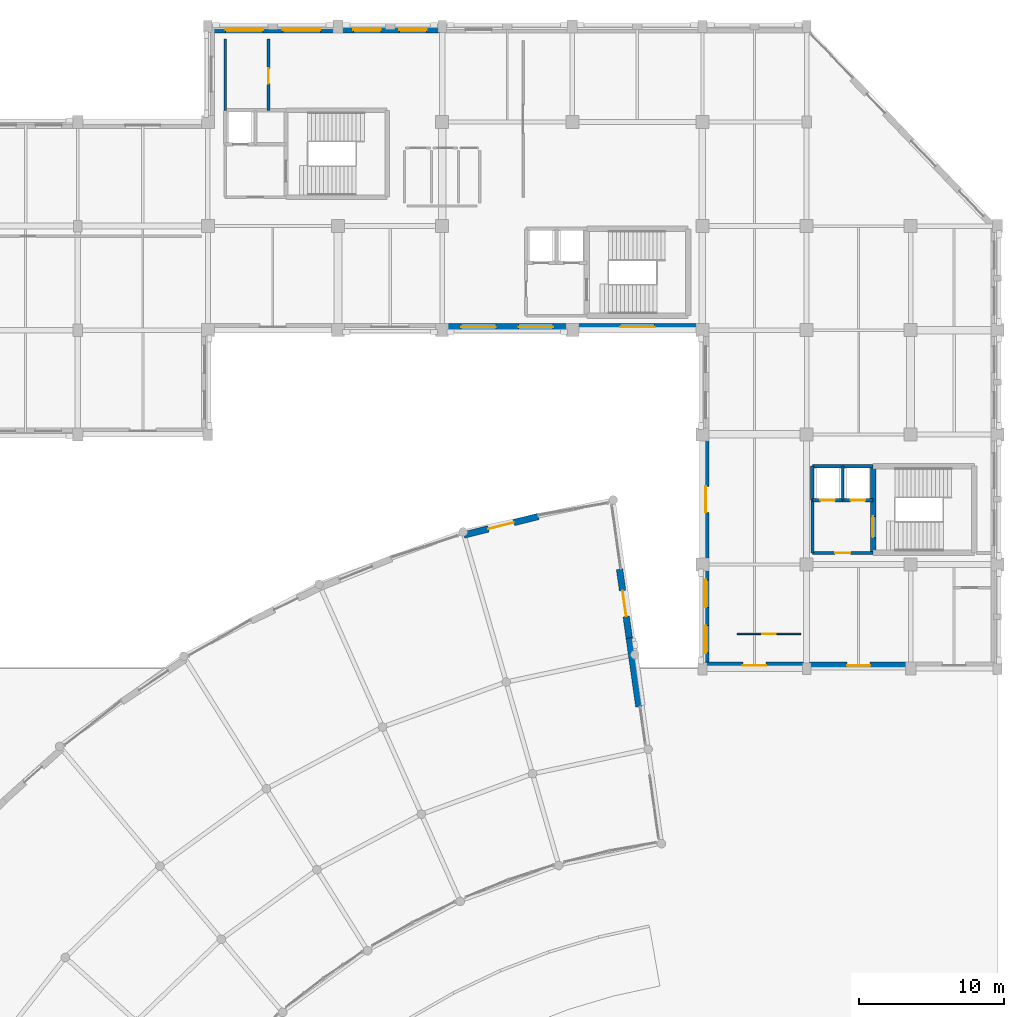
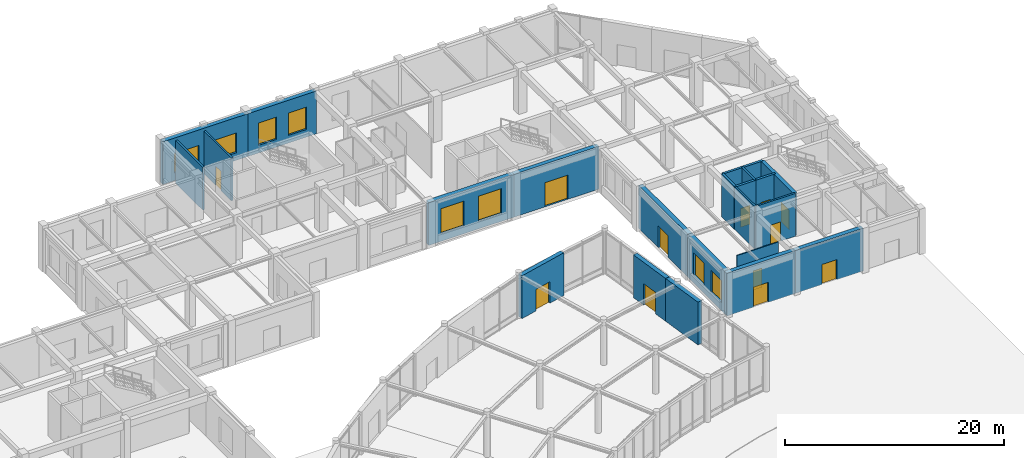
# One storey, part 53 of 64: 22 walls, 12 doors, 8 windows, 20 openings.
"""IFC4 building model written with IfcOpenShell, lengths in metres."""

from ifc_helpers import new_model, si_unit, direction, frame, frame_2d, origin, place, context, subcontext, project, spatial, rectangle, extrude, material, layer, layer_set, type_object, element, fill, save


model = new_model("IFC4")

# Units and contexts
model_context = context("Model", 3, precision=1e-05, world=origin(), true_north=direction((0.0, 1.0)))
body_context = subcontext(model_context, "Body", "Model", "MODEL_VIEW")
ifc_project = project(units=[si_unit("LENGTHUNIT", "METRE"), si_unit("AREAUNIT", "SQUARE_METRE"), si_unit("VOLUMEUNIT", "CUBIC_METRE"), si_unit("PLANEANGLEUNIT", "RADIAN"), si_unit("MASSUNIT", "GRAM", prefix="KILO")], contexts=[model_context])

# Site, building, storey
site_placement = place(None, origin())
site = spatial("IfcSite", under=ifc_project, at=site_placement, CompositionType="ELEMENT")
building_placement = place(site_placement, origin())
building = spatial("IfcBuilding", under=site, at=building_placement, Name="Clarverna Civic Hall", CompositionType="ELEMENT")
storey_placement = place(building_placement, origin())
storey = spatial("IfcBuildingStorey", under=building, at=storey_placement, Name="L00", CompositionType="ELEMENT", Elevation=0.0)

# Wall, openings, windows
ifc_material_1 = material(Name="Precast concrete C40/50", Category="concrete")
ifc_layer_1 = layer(ifc_material_1, 0.449951171875)
ifc_layer_set_1 = layer_set([ifc_layer_1], Name="Precast concrete C40/50")
wall_type_1 = type_object("IfcWallType", Name="EW-01", PredefinedType="SOLIDWALL", material=ifc_layer_set_1)
wall_1_placement = place(storey_placement, frame((113.39990234375, 115.77490234375, 0.0), z_axis=(0.0, 0.0, 1.0), x_axis=(1.0, 0.0, 0.0)))
wall_1 = element("IfcWall", 1, at=wall_1_placement, inside=storey, type_object=wall_type_1, Name="EW-01-035", PredefinedType="SOLIDWALL", context=body_context, shape_type="SweptSolid", body=[
    extrude(rectangle(XDim=9.0, YDim=0.449951171875, at=frame_2d((4.5, 0.0))), origin(), (0.0, 0.0, 1.0), 4.780029296875),
])
opening_1_placement = place(wall_1_placement, frame((1.219970703125, 0.0, 0.85009765625)))
opening_1 = element("IfcOpeningElement", 2, at=opening_1_placement, cuts=wall_1, Name="Opening WN-18", PredefinedType="OPENING", context=body_context, shape_type="SweptSolid", body=[
    extrude(rectangle(XDim=2.60009765625, YDim=2.199951171875, at=frame_2d((1.300048828125, 1.10009765625))), frame((0.0, 0.23486328125, 0.0), z_axis=(0.0, -1.0, 0.0), x_axis=(1.0, 0.0, 0.0)), (0.0, 0.0, 1.0), 0.469970703125),
])
opening_2_placement = place(wall_1_placement, frame((5.179931640625, 0.0, 0.85009765625)))
opening_2 = element("IfcOpeningElement", 3, at=opening_2_placement, cuts=wall_1, Name="Opening WN-18", PredefinedType="OPENING", context=body_context, shape_type="SweptSolid", body=[
    extrude(rectangle(XDim=2.60009765625, YDim=2.199951171875, at=frame_2d((1.300048828125, 1.10009765625))), frame((0.0, 0.23486328125, 0.0), z_axis=(0.0, -1.0, 0.0), x_axis=(1.0, 0.0, 0.0)), (0.0, 0.0, 1.0), 0.469970703125),
])
ifc_material_2 = material(Name="Solar-Control Argon Low-E Double Glazing", Category="glass")
window_type_1 = type_object("IfcWindowType", Name="WN-18", PartitioningType="TRIPLE_PANEL_VERTICAL", PredefinedType="WINDOW", material=ifc_material_2)
window_1_placement = place(opening_1_placement, origin())
window_1 = element("IfcWindow", 4, at=window_1_placement, inside=storey, type_object=window_type_1, Name="WN-18-005", OverallHeight=2.199951171875, OverallWidth=2.60009765625, PartitioningType="TRIPLE_PANEL_VERTICAL", PredefinedType="WINDOW", context=body_context, shape_type="SweptSolid", body=[
    extrude(rectangle(XDim=2.60009765625, YDim=2.199951171875, at=frame_2d((1.300048828125, 1.10009765625))), frame((0.0, 0.030029296875, 0.0), z_axis=(0.0, -1.0, 0.0), x_axis=(1.0, 0.0, 0.0)), (0.0, 0.0, 1.0), 0.06005859375),
])
fill(opening_1, window_1)
window_2_placement = place(opening_2_placement, origin())
window_2 = element("IfcWindow", 5, at=window_2_placement, inside=storey, type_object=window_type_1, Name="WN-18-006", OverallHeight=2.199951171875, OverallWidth=2.60009765625, PartitioningType="TRIPLE_PANEL_VERTICAL", PredefinedType="WINDOW", context=body_context, shape_type="SweptSolid", body=[
    extrude(rectangle(XDim=2.60009765625, YDim=2.199951171875, at=frame_2d((1.300048828125, 1.10009765625))), frame((0.0, 0.030029296875, 0.0), z_axis=(0.0, -1.0, 0.0), x_axis=(1.0, 0.0, 0.0)), (0.0, 0.0, 1.0), 0.06005859375),
])
fill(opening_2, window_2)

wall_2_placement = place(storey_placement, frame((122.39990234375, 115.77490234375, 0.0), z_axis=(0.0, 0.0, 1.0), x_axis=(1.0, 0.0, 0.0)))
wall_2 = element("IfcWall", 6, at=wall_2_placement, inside=storey, type_object=wall_type_1, Name="EW-01-036", PredefinedType="SOLIDWALL", context=body_context, shape_type="SweptSolid", body=[
    extrude(rectangle(XDim=7.2001953125, YDim=0.449951171875, at=frame_2d((3.60009765625, 0.0))), origin(), (0.0, 0.0, 1.0), 4.780029296875),
])
opening_3_placement = place(wall_2_placement, frame((1.06591796875, 0.0, 0.85009765625)))
opening_3 = element("IfcOpeningElement", 7, at=opening_3_placement, cuts=wall_2, Name="Opening WN-30", PredefinedType="OPENING", context=body_context, shape_type="SweptSolid", body=[
    extrude(rectangle(XDim=1.89990234375, YDim=2.5, at=frame_2d((0.949951171875, 1.25))), frame((0.0, 0.23486328125, 0.0), z_axis=(0.0, -1.0, 0.0), x_axis=(1.0, 0.0, 0.0)), (0.0, 0.0, 1.0), 0.469970703125),
])
opening_4_placement = place(wall_2_placement, frame((4.23388671875, 0.0, 0.85009765625)))
opening_4 = element("IfcOpeningElement", 8, at=opening_4_placement, cuts=wall_2, Name="Opening WN-30", PredefinedType="OPENING", context=body_context, shape_type="SweptSolid", body=[
    extrude(rectangle(XDim=1.89990234375, YDim=2.5, at=frame_2d((0.949951171875, 1.25))), frame((0.0, 0.23486328125, 0.0), z_axis=(0.0, -1.0, 0.0), x_axis=(1.0, 0.0, 0.0)), (0.0, 0.0, 1.0), 0.469970703125),
])
window_type_2 = type_object("IfcWindowType", Name="WN-30", PartitioningType="DOUBLE_PANEL_VERTICAL", PredefinedType="WINDOW", material=ifc_material_2)
window_3_placement = place(opening_3_placement, origin())
window_3 = element("IfcWindow", 9, at=window_3_placement, inside=storey, type_object=window_type_2, Name="WN-30-008", OverallHeight=2.5, OverallWidth=1.89990234375, PartitioningType="DOUBLE_PANEL_VERTICAL", PredefinedType="WINDOW", context=body_context, shape_type="SweptSolid", body=[
    extrude(rectangle(XDim=1.89990234375, YDim=2.5, at=frame_2d((0.949951171875, 1.25))), frame((0.0, 0.030029296875, 0.0), z_axis=(0.0, -1.0, 0.0), x_axis=(1.0, 0.0, 0.0)), (0.0, 0.0, 1.0), 0.06005859375),
])
fill(opening_3, window_3)
window_4_placement = place(opening_4_placement, origin())
window_4 = element("IfcWindow", 10, at=window_4_placement, inside=storey, type_object=window_type_2, Name="WN-30-009", OverallHeight=2.5, OverallWidth=1.89990234375, PartitioningType="DOUBLE_PANEL_VERTICAL", PredefinedType="WINDOW", context=body_context, shape_type="SweptSolid", body=[
    extrude(rectangle(XDim=1.89990234375, YDim=2.5, at=frame_2d((0.949951171875, 1.25))), frame((0.0, 0.030029296875, 0.0), z_axis=(0.0, -1.0, 0.0), x_axis=(1.0, 0.0, 0.0)), (0.0, 0.0, 1.0), 0.06005859375),
])
fill(opening_4, window_4)

# Wall, opening, door
wall_3_placement = place(storey_placement, frame((162.0, 71.824951171875, 0.0), z_axis=(0.0, 0.0, 1.0), x_axis=(-1.0, 0.0, 0.0)))
wall_3 = element("IfcWall", 11, at=wall_3_placement, inside=storey, type_object=wall_type_1, Name="EW-01-048", PredefinedType="SOLIDWALL", context=body_context, shape_type="SweptSolid", body=[
    extrude(rectangle(XDim=7.199951171875, YDim=0.449951171875, at=frame_2d((3.60009765625, 0.0))), origin(), (0.0, 0.0, 1.0), 4.780029296875),
])
opening_5_placement = place(wall_3_placement, frame((2.800048828125, 0.0, 0.0)))
opening_5 = element("IfcOpeningElement", 12, at=opening_5_placement, cuts=wall_3, Name="Opening ED-04", PredefinedType="OPENING", context=body_context, shape_type="SweptSolid", body=[
    extrude(rectangle(XDim=1.60009765625, YDim=2.25, at=frame_2d((0.800048828125, 1.125))), frame((0.0, 0.23486328125, 0.0), z_axis=(0.0, -1.0, 0.0), x_axis=(1.0, 0.0, 0.0)), (0.0, 0.0, 1.0), 0.469970703125),
])
ifc_material_3 = material(Name="Anodised Bronze Glazed Door")
door_type_1 = type_object("IfcDoorType", Name="ED-04", OperationType="DOUBLE_DOOR_SINGLE_SWING", PredefinedType="DOOR", material=ifc_material_3)
door_1_placement = place(opening_5_placement, origin())
door_1 = element("IfcDoor", 13, at=door_1_placement, inside=storey, type_object=door_type_1, Name="ED-04-002", OperationType="DOUBLE_DOOR_SINGLE_SWING", OverallHeight=2.25, OverallWidth=1.60009765625, PredefinedType="DOOR", context=body_context, shape_type="SweptSolid", body=[
    extrude(rectangle(XDim=1.60009765625, YDim=2.25, at=frame_2d((0.800048828125, 1.125))), frame((0.0, 0.02490234375, 0.0), z_axis=(0.0, -1.0, 0.0), x_axis=(1.0, 0.0, 0.0)), (0.0, 0.0, 1.0), 0.050048828125),
])
fill(opening_5, door_1)

wall_4_placement = place(storey_placement, frame((154.800048828125, 71.824951171875, 0.0), z_axis=(0.0, 0.0, 1.0), x_axis=(-1.0, 0.0, 0.0)))
wall_4 = element("IfcWall", 14, at=wall_4_placement, inside=storey, type_object=wall_type_1, Name="EW-01-049", PredefinedType="SOLIDWALL", context=body_context, shape_type="SweptSolid", body=[
    extrude(rectangle(XDim=7.199951171875, YDim=0.449951171875, at=frame_2d((3.60009765625, 0.0))), origin(), (0.0, 0.0, 1.0), 4.780029296875),
])
opening_6_placement = place(wall_4_placement, frame((2.800048828125, 0.0, 0.0)))
opening_6 = element("IfcOpeningElement", 15, at=opening_6_placement, cuts=wall_4, Name="Opening ED-04", PredefinedType="OPENING", context=body_context, shape_type="SweptSolid", body=[
    extrude(rectangle(XDim=1.60009765625, YDim=2.25, at=frame_2d((0.800048828125, 1.125))), frame((0.0, 0.23486328125, 0.0), z_axis=(0.0, -1.0, 0.0), x_axis=(1.0, 0.0, 0.0)), (0.0, 0.0, 1.0), 0.469970703125),
])
door_2_placement = place(opening_6_placement, origin())
door_2 = element("IfcDoor", 16, at=door_2_placement, inside=storey, type_object=door_type_1, Name="ED-04-003", OperationType="DOUBLE_DOOR_SINGLE_SWING", OverallHeight=2.25, OverallWidth=1.60009765625, PredefinedType="DOOR", context=body_context, shape_type="SweptSolid", body=[
    extrude(rectangle(XDim=1.60009765625, YDim=2.25, at=frame_2d((0.800048828125, 1.125))), frame((0.0, 0.02490234375, 0.0), z_axis=(0.0, -1.0, 0.0), x_axis=(1.0, 0.0, 0.0)), (0.0, 0.0, 1.0), 0.050048828125),
])
fill(opening_6, door_2)

# Wall, openings, windows
wall_5_placement = place(storey_placement, frame((147.824951171875, 71.60009765625, 0.0), z_axis=(0.0, 0.0, 1.0), x_axis=(0.0, 1.0, 0.0)))
wall_5 = element("IfcWall", 17, at=wall_5_placement, inside=storey, type_object=wall_type_1, Name="EW-01-050", PredefinedType="SOLIDWALL", context=body_context, shape_type="SweptSolid", body=[
    extrude(rectangle(XDim=7.199951171875, YDim=0.449951171875, at=frame_2d((3.60009765625, 0.0))), origin(), (0.0, 0.0, 1.0), 4.780029296875),
])
opening_7_placement = place(wall_5_placement, frame((1.06591796875, 0.0, 0.85009765625)))
opening_7 = element("IfcOpeningElement", 18, at=opening_7_placement, cuts=wall_5, Name="Opening WN-30", PredefinedType="OPENING", context=body_context, shape_type="SweptSolid", body=[
    extrude(rectangle(XDim=1.89990234375, YDim=2.5, at=frame_2d((0.949951171875, 1.25))), frame((0.0, 0.23486328125, 0.0), z_axis=(0.0, -1.0, 0.0), x_axis=(1.0, 0.0, 0.0)), (0.0, 0.0, 1.0), 0.469970703125),
])
opening_8_placement = place(wall_5_placement, frame((4.23388671875, 0.0, 0.85009765625)))
opening_8 = element("IfcOpeningElement", 19, at=opening_8_placement, cuts=wall_5, Name="Opening WN-30", PredefinedType="OPENING", context=body_context, shape_type="SweptSolid", body=[
    extrude(rectangle(XDim=1.89990234375, YDim=2.5, at=frame_2d((0.949951171875, 1.25))), frame((0.0, 0.23486328125, 0.0), z_axis=(0.0, -1.0, 0.0), x_axis=(1.0, 0.0, 0.0)), (0.0, 0.0, 1.0), 0.469970703125),
])
window_5_placement = place(opening_7_placement, origin())
window_5 = element("IfcWindow", 20, at=window_5_placement, inside=storey, type_object=window_type_2, Name="WN-30-012", OverallHeight=2.5, OverallWidth=1.89990234375, PartitioningType="DOUBLE_PANEL_VERTICAL", PredefinedType="WINDOW", context=body_context, shape_type="SweptSolid", body=[
    extrude(rectangle(XDim=1.89990234375, YDim=2.5, at=frame_2d((0.949951171875, 1.25))), frame((0.0, 0.030029296875, 0.0), z_axis=(0.0, -1.0, 0.0), x_axis=(1.0, 0.0, 0.0)), (0.0, 0.0, 1.0), 0.06005859375),
])
fill(opening_7, window_5)
window_6_placement = place(opening_8_placement, origin())
window_6 = element("IfcWindow", 21, at=window_6_placement, inside=storey, type_object=window_type_2, Name="WN-30-013", OverallHeight=2.5, OverallWidth=1.89990234375, PartitioningType="DOUBLE_PANEL_VERTICAL", PredefinedType="WINDOW", context=body_context, shape_type="SweptSolid", body=[
    extrude(rectangle(XDim=1.89990234375, YDim=2.5, at=frame_2d((0.949951171875, 1.25))), frame((0.0, 0.030029296875, 0.0), z_axis=(0.0, -1.0, 0.0), x_axis=(1.0, 0.0, 0.0)), (0.0, 0.0, 1.0), 0.06005859375),
])
fill(opening_8, window_6)

# Wall, opening, door
wall_6_placement = place(storey_placement, frame((147.824951171875, 78.800048828125, 0.0), z_axis=(0.0, 0.0, 1.0), x_axis=(0.0, 1.0, 0.0)))
wall_6 = element("IfcWall", 22, at=wall_6_placement, inside=storey, type_object=wall_type_1, Name="EW-01-051", PredefinedType="SOLIDWALL", context=body_context, shape_type="SweptSolid", body=[
    extrude(rectangle(XDim=9.0, YDim=0.449951171875, at=frame_2d((4.5, 0.0))), origin(), (0.0, 0.0, 1.0), 4.780029296875),
])
opening_9_placement = place(wall_6_placement, frame((3.60009765625, 0.0, 0.0)))
opening_9 = element("IfcOpeningElement", 23, at=opening_9_placement, cuts=wall_6, Name="Opening ED-02", PredefinedType="OPENING", context=body_context, shape_type="SweptSolid", body=[
    extrude(rectangle(XDim=1.800048828125, YDim=2.39990234375, at=frame_2d((0.89990234375, 1.199951171875))), frame((0.0, 0.23486328125, 0.0), z_axis=(0.0, -1.0, 0.0), x_axis=(1.0, 0.0, 0.0)), (0.0, 0.0, 1.0), 0.469970703125),
])
door_type_2 = type_object("IfcDoorType", Name="ED-02", OperationType="DOUBLE_DOOR_SINGLE_SWING", PredefinedType="DOOR", material=ifc_material_3)
door_3_placement = place(opening_9_placement, origin())
door_3 = element("IfcDoor", 24, at=door_3_placement, inside=storey, type_object=door_type_2, Name="ED-02-010", OperationType="DOUBLE_DOOR_SINGLE_SWING", OverallHeight=2.39990234375, OverallWidth=1.800048828125, PredefinedType="DOOR", context=body_context, shape_type="SweptSolid", body=[
    extrude(rectangle(XDim=1.800048828125, YDim=2.39990234375, at=frame_2d((0.89990234375, 1.199951171875))), frame((0.0, 0.02490234375, 0.0), z_axis=(0.0, -1.0, 0.0), x_axis=(1.0, 0.0, 0.0)), (0.0, 0.0, 1.0), 0.050048828125),
])
fill(opening_9, door_3)

wall_7_placement = place(storey_placement, frame((147.60009765625, 95.22509765625, 0.0), z_axis=(0.0, 0.0, 1.0), x_axis=(-1.0, 0.0, 0.0)))
wall_7 = element("IfcWall", 25, at=wall_7_placement, inside=storey, type_object=wall_type_1, Name="EW-01-053", PredefinedType="SOLIDWALL", context=body_context, shape_type="SweptSolid", body=[
    extrude(rectangle(XDim=9.0, YDim=0.449951171875, at=frame_2d((4.5, 0.0))), origin(), (0.0, 0.0, 1.0), 4.780029296875),
])
opening_10_placement = place(wall_7_placement, frame((3.300048828125, 0.0, 0.0)))
opening_10 = element("IfcOpeningElement", 26, at=opening_10_placement, cuts=wall_7, Name="Opening ED-01", PredefinedType="OPENING", context=body_context, shape_type="SweptSolid", body=[
    extrude(rectangle(XDim=2.39990234375, YDim=2.699951171875, at=frame_2d((1.199951171875, 1.35009765625))), frame((0.0, 0.23486328125, 0.0), z_axis=(0.0, -1.0, 0.0), x_axis=(1.0, 0.0, 0.0)), (0.0, 0.0, 1.0), 0.469970703125),
])
door_type_3 = type_object("IfcDoorType", Name="ED-01", OperationType="DOUBLE_DOOR_SINGLE_SWING", PredefinedType="DOOR", material=ifc_material_3)
door_4_placement = place(opening_10_placement, origin())
door_4 = element("IfcDoor", 27, at=door_4_placement, inside=storey, type_object=door_type_3, Name="ED-01-011", OperationType="DOUBLE_DOOR_SINGLE_SWING", OverallHeight=2.699951171875, OverallWidth=2.39990234375, PredefinedType="DOOR", context=body_context, shape_type="SweptSolid", body=[
    extrude(rectangle(XDim=2.39990234375, YDim=2.699951171875, at=frame_2d((1.199951171875, 1.35009765625))), frame((0.0, 0.02490234375, 0.0), z_axis=(0.0, -1.0, 0.0), x_axis=(1.0, 0.0, 0.0)), (0.0, 0.0, 1.0), 0.050048828125),
])
fill(opening_10, door_4)

# Wall, openings, windows
wall_8_placement = place(storey_placement, frame((138.60009765625, 95.22509765625, 0.0), z_axis=(0.0, 0.0, 1.0), x_axis=(-1.0, 0.0, 0.0)))
wall_8 = element("IfcWall", 28, at=wall_8_placement, inside=storey, type_object=wall_type_1, Name="EW-01-054", PredefinedType="SOLIDWALL", context=body_context, shape_type="SweptSolid", body=[
    extrude(rectangle(XDim=9.0, YDim=0.449951171875, at=frame_2d((4.5, 0.0))), origin(), (0.0, 0.0, 1.0), 4.780029296875),
])
opening_11_placement = place(wall_8_placement, frame((1.320068359375, 0.0, 0.85009765625)))
opening_11 = element("IfcOpeningElement", 29, at=opening_11_placement, cuts=wall_8, Name="Opening WN-02", PredefinedType="OPENING", context=body_context, shape_type="SweptSolid", body=[
    extrude(rectangle(XDim=2.39990234375, YDim=2.800048828125, at=frame_2d((1.199951171875, 1.39990234375))), frame((0.0, 0.23486328125, 0.0), z_axis=(0.0, -1.0, 0.0), x_axis=(1.0, 0.0, 0.0)), (0.0, 0.0, 1.0), 0.469970703125),
])
opening_12_placement = place(wall_8_placement, frame((5.280029296875, 0.0, 0.85009765625)))
opening_12 = element("IfcOpeningElement", 30, at=opening_12_placement, cuts=wall_8, Name="Opening WN-02", PredefinedType="OPENING", context=body_context, shape_type="SweptSolid", body=[
    extrude(rectangle(XDim=2.39990234375, YDim=2.800048828125, at=frame_2d((1.199951171875, 1.39990234375))), frame((0.0, 0.23486328125, 0.0), z_axis=(0.0, -1.0, 0.0), x_axis=(1.0, 0.0, 0.0)), (0.0, 0.0, 1.0), 0.469970703125),
])
window_type_3 = type_object("IfcWindowType", Name="WN-02", PartitioningType="TRIPLE_PANEL_VERTICAL", PredefinedType="WINDOW", material=ifc_material_2)
window_7_placement = place(opening_11_placement, origin())
window_7 = element("IfcWindow", 31, at=window_7_placement, inside=storey, type_object=window_type_3, Name="WN-02-010", OverallHeight=2.800048828125, OverallWidth=2.39990234375, PartitioningType="TRIPLE_PANEL_VERTICAL", PredefinedType="WINDOW", context=body_context, shape_type="SweptSolid", body=[
    extrude(rectangle(XDim=2.39990234375, YDim=2.800048828125, at=frame_2d((1.199951171875, 1.39990234375))), frame((0.0, 0.030029296875, 0.0), z_axis=(0.0, -1.0, 0.0), x_axis=(1.0, 0.0, 0.0)), (0.0, 0.0, 1.0), 0.06005859375),
])
fill(opening_11, window_7)
window_8_placement = place(opening_12_placement, origin())
window_8 = element("IfcWindow", 32, at=window_8_placement, inside=storey, type_object=window_type_3, Name="WN-02-011", OverallHeight=2.800048828125, OverallWidth=2.39990234375, PartitioningType="TRIPLE_PANEL_VERTICAL", PredefinedType="WINDOW", context=body_context, shape_type="SweptSolid", body=[
    extrude(rectangle(XDim=2.39990234375, YDim=2.800048828125, at=frame_2d((1.199951171875, 1.39990234375))), frame((0.0, 0.030029296875, 0.0), z_axis=(0.0, -1.0, 0.0), x_axis=(1.0, 0.0, 0.0)), (0.0, 0.0, 1.0), 0.06005859375),
])
fill(opening_12, window_8)

# Wall, opening, door
wall_9_placement = place(storey_placement, frame((131.10595703125, 80.837646484375, 0.0), z_axis=(0.0, 0.0, 1.0), x_axis=(0.970302016498, 0.241896665499, 0.0)))
wall_9 = element("IfcWall", 33, at=wall_9_placement, inside=storey, type_object=wall_type_1, Name="EW-01-068", PredefinedType="SOLIDWALL", context=body_context, shape_type="SweptSolid", body=[
    extrude(rectangle(XDim=5.3046875, YDim=0.449951171875, at=frame_2d((2.65234375, 0.0))), origin(), (0.0, 0.0, 1.0), 4.780029296875),
])
opening_13_placement = place(wall_9_placement, frame((1.75244140625, 0.0, 0.0)))
opening_13 = element("IfcOpeningElement", 34, at=opening_13_placement, cuts=wall_9, Name="Opening ED-02", PredefinedType="OPENING", context=body_context, shape_type="SweptSolid", body=[
    extrude(rectangle(XDim=1.800048828125, YDim=2.39990234375, at=frame_2d((0.89990234375, 1.199951171875))), frame((0.0, 0.23486328125, 0.0), z_axis=(0.0, -1.0, 0.0), x_axis=(1.0, 0.0, 0.0)), (0.0, 0.0, 1.0), 0.469970703125),
])
door_5_placement = place(opening_13_placement, origin())
door_5 = element("IfcDoor", 35, at=door_5_placement, inside=storey, type_object=door_type_2, Name="ED-02-014", OperationType="DOUBLE_DOOR_SINGLE_SWING", OverallHeight=2.39990234375, OverallWidth=1.800048828125, PredefinedType="DOOR", context=body_context, shape_type="SweptSolid", body=[
    extrude(rectangle(XDim=1.800048828125, YDim=2.39990234375, at=frame_2d((0.89990234375, 1.199951171875))), frame((0.0, 0.02490234375, 0.0), z_axis=(0.0, -1.0, 0.0), x_axis=(1.0, 0.0, 0.0)), (0.0, 0.0, 1.0), 0.050048828125),
])
fill(opening_13, door_5)

wall_10_placement = place(storey_placement, frame((141.867919921875, 78.475830078125, 0.0), z_axis=(0.0, 0.0, 1.0), x_axis=(0.139206515124, -0.990263372112, 0.0)))
wall_10 = element("IfcWall", 36, at=wall_10_placement, inside=storey, type_object=wall_type_1, Name="EW-01-069", PredefinedType="SOLIDWALL", context=body_context, shape_type="SweptSolid", body=[
    extrude(rectangle(XDim=4.800048828125, YDim=0.449951171875, at=frame_2d((2.39990234375, 0.0))), origin(), (0.0, 0.0, 1.0), 4.780029296875),
])
opening_14_placement = place(wall_10_placement, frame((1.5, 0.0, 0.0)))
opening_14 = element("IfcOpeningElement", 37, at=opening_14_placement, cuts=wall_10, Name="Opening ED-02", PredefinedType="OPENING", context=body_context, shape_type="SweptSolid", body=[
    extrude(rectangle(XDim=1.800048828125, YDim=2.39990234375, at=frame_2d((0.89990234375, 1.199951171875))), frame((0.0, 0.23486328125, 0.0), z_axis=(0.0, -1.0, 0.0), x_axis=(1.0, 0.0, 0.0)), (0.0, 0.0, 1.0), 0.469970703125),
])
door_6_placement = place(opening_14_placement, origin())
door_6 = element("IfcDoor", 38, at=door_6_placement, inside=storey, type_object=door_type_2, Name="ED-02-015", OperationType="DOUBLE_DOOR_SINGLE_SWING", OverallHeight=2.39990234375, OverallWidth=1.800048828125, PredefinedType="DOOR", context=body_context, shape_type="SweptSolid", body=[
    extrude(rectangle(XDim=1.800048828125, YDim=2.39990234375, at=frame_2d((0.89990234375, 1.199951171875))), frame((0.0, 0.02490234375, 0.0), z_axis=(0.0, -1.0, 0.0), x_axis=(1.0, 0.0, 0.0)), (0.0, 0.0, 1.0), 0.050048828125),
])
fill(opening_14, door_6)

# Wall
wall_11_placement = place(storey_placement, frame((142.5361328125, 73.722412109375, 0.0), z_axis=(0.0, 0.0, 1.0), x_axis=(0.139163648397, -0.990269397167, 0.0)))
element("IfcWall", 39, at=wall_11_placement, inside=storey, type_object=wall_type_1, Name="EW-01-070", PredefinedType="SOLIDWALL", context=body_context, shape_type="SweptSolid", body=[
    extrude(rectangle(XDim=4.7998046875, YDim=0.449951171875, at=frame_2d((2.39990234375, 0.0))), origin(), (0.0, 0.0, 1.0), 4.780029296875),
])

# Wall, opening, door
ifc_material_4 = material(Name="Gypsum Plasterboard Partition", Category="gypsum")
ifc_layer_2 = layer(ifc_material_4, 0.10009765625)
ifc_layer_set_2 = layer_set([ifc_layer_2], Name="Gypsum Plasterboard Partition")
wall_type_2 = type_object("IfcWallType", Name="PW-04", PredefinedType="PARTITIONING", material=ifc_layer_set_2)
wall_12_placement = place(storey_placement, frame((150.0, 74.0, 0.0), z_axis=(0.0, 0.0, 1.0), x_axis=(1.0, 0.0, 0.0)))
wall_12 = element("IfcWall", 40, at=wall_12_placement, inside=storey, type_object=wall_type_2, Name="PW-04-001", PredefinedType="PARTITIONING", context=body_context, shape_type="SweptSolid", body=[
    extrude(rectangle(XDim=4.39990234375, YDim=0.10009765625, at=frame_2d((2.199951171875, 0.0))), origin(), (0.0, 0.0, 1.0), 4.47998046875),
])
opening_15_placement = place(wall_12_placement, frame((1.72509765625, 0.0, 0.0)))
opening_15 = element("IfcOpeningElement", 41, at=opening_15_placement, cuts=wall_12, Name="Opening ID-01", PredefinedType="OPENING", context=body_context, shape_type="SweptSolid", body=[
    extrude(rectangle(XDim=0.949951171875, YDim=2.14990234375, at=frame_2d((0.47509765625, 1.074951171875))), frame((0.0, 0.06005859375, 0.0), z_axis=(0.0, -1.0, 0.0), x_axis=(1.0, 0.0, 0.0)), (0.0, 0.0, 1.0), 0.1201171875),
])
ifc_material_5 = material(Name="European Oak Veneered Acoustic Timber Door", Category="wood")
door_type_4 = type_object("IfcDoorType", Name="ID-01", OperationType="NOTDEFINED", PredefinedType="DOOR", material=ifc_material_5)
door_7_placement = place(opening_15_placement, origin())
door_7 = element("IfcDoor", 42, at=door_7_placement, inside=storey, type_object=door_type_4, Name="ID-01-001", OperationType="SINGLE_SWING_LEFT", OverallHeight=2.14990234375, OverallWidth=0.949951171875, PredefinedType="DOOR", context=body_context, shape_type="SweptSolid", body=[
    extrude(rectangle(XDim=0.949951171875, YDim=2.14990234375, at=frame_2d((0.47509765625, 1.074951171875))), frame((0.0, 0.02490234375, 0.0), z_axis=(0.0, -1.0, 0.0), x_axis=(1.0, 0.0, 0.0)), (0.0, 0.0, 1.0), 0.050048828125),
])
fill(opening_15, door_7)

# Wall
ifc_material_6 = material(Name="Acoustic Gypsum Plasterboard on Twin Frame", Category="gypsum")
ifc_layer_3 = layer(ifc_material_6, 0.18994140625)
ifc_layer_set_3 = layer_set([ifc_layer_3], Name="Acoustic Gypsum Plasterboard on Twin Frame")
wall_type_3 = type_object("IfcWallType", Name="PW-06", PredefinedType="PARTITIONING", material=ifc_layer_set_3)
wall_13_placement = place(storey_placement, frame((155.199951171875, 79.60009765625, 0.0), z_axis=(0.0, 0.0, 1.0), x_axis=(0.0, 1.0, 0.0)))
element("IfcWall", 43, at=wall_13_placement, inside=storey, type_object=wall_type_3, Name="PW-06-021", PredefinedType="PARTITIONING", context=body_context, shape_type="SweptSolid", body=[
    extrude(rectangle(XDim=3.64990234375, YDim=0.18994140625, at=frame_2d((1.824951171875, 0.0))), origin(), (0.0, 0.0, 1.0), 4.780029296875),
])

# Wall, opening, door
wall_14_placement = place(storey_placement, frame((155.199951171875, 79.60009765625, 0.0), z_axis=(0.0, 0.0, 1.0), x_axis=(1.0, 0.0, 0.0)))
wall_14 = element("IfcWall", 44, at=wall_14_placement, inside=storey, type_object=wall_type_3, Name="PW-06-022", PredefinedType="PARTITIONING", context=body_context, shape_type="SweptSolid", body=[
    extrude(rectangle(XDim=4.199951171875, YDim=0.18994140625, at=frame_2d((2.10009765625, 0.0))), origin(), (0.0, 0.0, 1.0), 4.780029296875),
])
opening_16_placement = place(wall_14_placement, frame((1.574951171875, 0.0, 0.0)))
opening_16 = element("IfcOpeningElement", 45, at=opening_16_placement, cuts=wall_14, Name="Opening FD-02", PredefinedType="OPENING", context=body_context, shape_type="SweptSolid", body=[
    extrude(rectangle(XDim=1.050048828125, YDim=2.14990234375, at=frame_2d((0.52490234375, 1.074951171875))), frame((0.0, 0.10498046875, 0.0), z_axis=(0.0, -1.0, 0.0), x_axis=(1.0, 0.0, 0.0)), (0.0, 0.0, 1.0), 0.2099609375),
])
ifc_material_7 = material(Name="Acoustic Timber-Faced Fire Door", Category="wood")
door_type_5 = type_object("IfcDoorType", Name="FD-02", OperationType="NOTDEFINED", PredefinedType="DOOR", material=ifc_material_7)
door_8_placement = place(opening_16_placement, origin())
door_8 = element("IfcDoor", 46, at=door_8_placement, inside=storey, type_object=door_type_5, Name="FD-02-020", OperationType="SINGLE_SWING_RIGHT", OverallHeight=2.14990234375, OverallWidth=1.050048828125, PredefinedType="DOOR", context=body_context, shape_type="SweptSolid", body=[
    extrude(rectangle(XDim=1.050048828125, YDim=2.14990234375, at=frame_2d((0.52490234375, 1.074951171875))), frame((0.0, 0.02490234375, 0.0), z_axis=(0.0, -1.0, 0.0), x_axis=(1.0, 0.0, 0.0)), (0.0, 0.0, 1.0), 0.050048828125),
])
fill(opening_16, door_8)

# Wall
wall_15_placement = place(storey_placement, frame((114.60009765625, 110.199951171875, 0.0), z_axis=(0.0, 0.0, 1.0), x_axis=(0.0, 1.0, 0.0)))
element("IfcWall", 47, at=wall_15_placement, inside=storey, type_object=wall_type_3, Name="PW-06-133", PredefinedType="PARTITIONING", context=body_context, shape_type="SweptSolid", body=[
    extrude(rectangle(XDim=4.949951171875, YDim=0.18994140625, at=frame_2d((2.47509765625, 0.0))), origin(), (0.0, 0.0, 1.0), 4.780029296875),
])

# Wall, opening, door
wall_16_placement = place(storey_placement, frame((117.60009765625, 110.199951171875, 0.0), z_axis=(0.0, 0.0, 1.0), x_axis=(0.0, 1.0, 0.0)))
wall_16 = element("IfcWall", 48, at=wall_16_placement, inside=storey, type_object=wall_type_3, Name="PW-06-134", PredefinedType="PARTITIONING", context=body_context, shape_type="SweptSolid", body=[
    extrude(rectangle(XDim=4.949951171875, YDim=0.18994140625, at=frame_2d((2.47509765625, 0.0))), origin(), (0.0, 0.0, 1.0), 4.780029296875),
])
opening_17_placement = place(wall_16_placement, frame((1.85009765625, 0.0, 0.0)))
opening_17 = element("IfcOpeningElement", 49, at=opening_17_placement, cuts=wall_16, Name="Opening FD-02", PredefinedType="OPENING", context=body_context, shape_type="SweptSolid", body=[
    extrude(rectangle(XDim=1.050048828125, YDim=2.14990234375, at=frame_2d((0.52490234375, 1.074951171875))), frame((0.0, 0.10498046875, 0.0), z_axis=(0.0, -1.0, 0.0), x_axis=(1.0, 0.0, 0.0)), (0.0, 0.0, 1.0), 0.2099609375),
])
door_9_placement = place(opening_17_placement, origin())
door_9 = element("IfcDoor", 50, at=door_9_placement, inside=storey, type_object=door_type_5, Name="FD-02-119", OperationType="SINGLE_SWING_LEFT", OverallHeight=2.14990234375, OverallWidth=1.050048828125, PredefinedType="DOOR", context=body_context, shape_type="SweptSolid", body=[
    extrude(rectangle(XDim=1.050048828125, YDim=2.14990234375, at=frame_2d((0.52490234375, 1.074951171875))), frame((0.0, 0.02490234375, 0.0), z_axis=(0.0, -1.0, 0.0), x_axis=(1.0, 0.0, 0.0)), (0.0, 0.0, 1.0), 0.050048828125),
])
fill(opening_17, door_9)

ifc_material_8 = material(Name="Concrete C35/45", Category="concrete")
ifc_layer_4 = layer(ifc_material_8, 0.3798828125)
ifc_layer_set_4 = layer_set([ifc_layer_4], Name="Concrete C35/45")
wall_type_4 = type_object("IfcWallType", Name="SW-01", PredefinedType="SHEAR", material=ifc_layer_set_4)
wall_17_placement = place(storey_placement, frame((159.39990234375, 79.60009765625, 0.0), z_axis=(0.0, 0.0, 1.0), x_axis=(0.0, 1.0, 0.0)))
wall_17 = element("IfcWall", 51, at=wall_17_placement, inside=storey, type_object=wall_type_4, Name="SW-01-091", PredefinedType="SHEAR", context=body_context, shape_type="SweptSolid", body=[
    extrude(rectangle(XDim=6.0, YDim=0.3798828125, at=frame_2d((3.0, 0.0))), origin(), (0.0, 0.0, 1.0), 4.780029296875),
])
opening_18_placement = place(wall_17_placement, frame((1.074951171875, 0.0, 0.0)))
opening_18 = element("IfcOpeningElement", 52, at=opening_18_placement, cuts=wall_17, Name="Opening FD-01", PredefinedType="OPENING", context=body_context, shape_type="SweptSolid", body=[
    extrude(rectangle(XDim=1.449951171875, YDim=2.199951171875, at=frame_2d((0.72509765625, 1.10009765625))), frame((0.0, 0.199951171875, 0.0), z_axis=(0.0, -1.0, 0.0), x_axis=(1.0, 0.0, 0.0)), (0.0, 0.0, 1.0), 0.39990234375),
])
door_type_6 = type_object("IfcDoorType", Name="FD-01", OperationType="DOUBLE_DOOR_SINGLE_SWING", PredefinedType="DOOR", material=ifc_material_7)
door_10_placement = place(opening_18_placement, origin())
door_10 = element("IfcDoor", 53, at=door_10_placement, inside=storey, type_object=door_type_6, Name="FD-01-002", OperationType="DOUBLE_DOOR_SINGLE_SWING", OverallHeight=2.199951171875, OverallWidth=1.449951171875, PredefinedType="DOOR", context=body_context, shape_type="SweptSolid", body=[
    extrude(rectangle(XDim=1.449951171875, YDim=2.199951171875, at=frame_2d((0.72509765625, 1.10009765625))), frame((0.0, 0.02490234375, 0.0), z_axis=(0.0, -1.0, 0.0), x_axis=(1.0, 0.0, 0.0)), (0.0, 0.0, 1.0), 0.050048828125),
])
fill(opening_18, door_10)

# Walls
wall_18_placement = place(storey_placement, frame((155.199951171875, 85.60009765625, 0.0), z_axis=(0.0, 0.0, 1.0), x_axis=(1.0, 0.0, 0.0)))
element("IfcWall", 54, at=wall_18_placement, inside=storey, type_object=wall_type_4, Name="SW-01-095", PredefinedType="SHEAR", context=body_context, shape_type="SweptSolid", body=[
    extrude(rectangle(XDim=4.199951171875, YDim=0.239990234375, at=frame_2d((2.10009765625, 0.0))), origin(), (0.0, 0.0, 1.0), 4.780029296875),
])
wall_19_placement = place(storey_placement, frame((155.199951171875, 83.25, 0.0), z_axis=(0.0, 0.0, 1.0), x_axis=(0.0, 1.0, 0.0)))
element("IfcWall", 55, at=wall_19_placement, inside=storey, type_object=wall_type_4, Name="SW-01-096", PredefinedType="SHEAR", context=body_context, shape_type="SweptSolid", body=[
    extrude(rectangle(XDim=2.35009765625, YDim=0.239990234375, at=frame_2d((1.175048828125, 0.0))), origin(), (0.0, 0.0, 1.0), 4.780029296875),
])
wall_20_placement = place(storey_placement, frame((157.300048828125, 83.25, 0.0), z_axis=(0.0, 0.0, 1.0), x_axis=(0.0, 1.0, 0.0)))
element("IfcWall", 56, at=wall_20_placement, inside=storey, type_object=wall_type_4, Name="SW-01-097", PredefinedType="SHEAR", context=body_context, shape_type="SweptSolid", body=[
    extrude(rectangle(XDim=2.35009765625, YDim=0.199951171875, at=frame_2d((1.175048828125, 0.0))), origin(), (0.0, 0.0, 1.0), 4.780029296875),
])

# Wall, opening, door
wall_21_placement = place(storey_placement, frame((155.199951171875, 83.25, 0.0), z_axis=(0.0, 0.0, 1.0), x_axis=(1.0, 0.0, 0.0)))
wall_21 = element("IfcWall", 57, at=wall_21_placement, inside=storey, type_object=wall_type_4, Name="SW-01-098", PredefinedType="SHEAR", context=body_context, shape_type="SweptSolid", body=[
    extrude(rectangle(XDim=2.10009765625, YDim=0.239990234375, at=frame_2d((1.050048828125, 0.0))), origin(), (0.0, 0.0, 1.0), 4.780029296875),
])
opening_19_placement = place(wall_21_placement, frame((0.550048828125, 0.0, 0.0)))
opening_19 = element("IfcOpeningElement", 58, at=opening_19_placement, cuts=wall_21, Name="Opening LD-01", PredefinedType="OPENING", context=body_context, shape_type="SweptSolid", body=[
    extrude(rectangle(XDim=1.0, YDim=2.10009765625, at=frame_2d((0.5, 1.050048828125))), frame((0.0, 0.1298828125, 0.0), z_axis=(0.0, -1.0, 0.0), x_axis=(1.0, 0.0, 0.0)), (0.0, 0.0, 1.0), 0.260009765625),
])
ifc_material_9 = material(Name="Brushed Bronze Stainless Lift Landing Door")
door_type_7 = type_object("IfcDoorType", Name="LD-01", OperationType="SLIDING_TO_LEFT", PredefinedType="DOOR", material=ifc_material_9)
door_11_placement = place(opening_19_placement, origin())
door_11 = element("IfcDoor", 59, at=door_11_placement, inside=storey, type_object=door_type_7, Name="LD-01-021", OperationType="SLIDING_TO_LEFT", OverallHeight=2.10009765625, OverallWidth=1.0, PredefinedType="DOOR", context=body_context, shape_type="SweptSolid", body=[
    extrude(rectangle(XDim=1.0, YDim=2.10009765625, at=frame_2d((0.5, 1.050048828125))), frame((0.0, 0.02490234375, 0.0), z_axis=(0.0, -1.0, 0.0), x_axis=(1.0, 0.0, 0.0)), (0.0, 0.0, 1.0), 0.050048828125),
])
fill(opening_19, door_11)

wall_22_placement = place(storey_placement, frame((157.300048828125, 83.25, 0.0), z_axis=(0.0, 0.0, 1.0), x_axis=(1.0, 0.0, 0.0)))
wall_22 = element("IfcWall", 60, at=wall_22_placement, inside=storey, type_object=wall_type_4, Name="SW-01-099", PredefinedType="SHEAR", context=body_context, shape_type="SweptSolid", body=[
    extrude(rectangle(XDim=2.099853515625, YDim=0.239990234375, at=frame_2d((1.0498046875, 0.0))), origin(), (0.0, 0.0, 1.0), 4.780029296875),
])
opening_20_placement = place(wall_22_placement, frame((0.550048828125, 0.0, 0.0)))
opening_20 = element("IfcOpeningElement", 61, at=opening_20_placement, cuts=wall_22, Name="Opening LD-01", PredefinedType="OPENING", context=body_context, shape_type="SweptSolid", body=[
    extrude(rectangle(XDim=1.0, YDim=2.10009765625, at=frame_2d((0.5, 1.050048828125))), frame((0.0, 0.1298828125, 0.0), z_axis=(0.0, -1.0, 0.0), x_axis=(1.0, 0.0, 0.0)), (0.0, 0.0, 1.0), 0.260009765625),
])
door_12_placement = place(opening_20_placement, origin())
door_12 = element("IfcDoor", 62, at=door_12_placement, inside=storey, type_object=door_type_7, Name="LD-01-022", OperationType="SLIDING_TO_LEFT", OverallHeight=2.10009765625, OverallWidth=1.0, PredefinedType="DOOR", context=body_context, shape_type="SweptSolid", body=[
    extrude(rectangle(XDim=1.0, YDim=2.10009765625, at=frame_2d((0.5, 1.050048828125))), frame((0.0, 0.02490234375, 0.0), z_axis=(0.0, -1.0, 0.0), x_axis=(1.0, 0.0, 0.0)), (0.0, 0.0, 1.0), 0.050048828125),
])
fill(opening_20, door_12)

save(model, "model.ifc")
